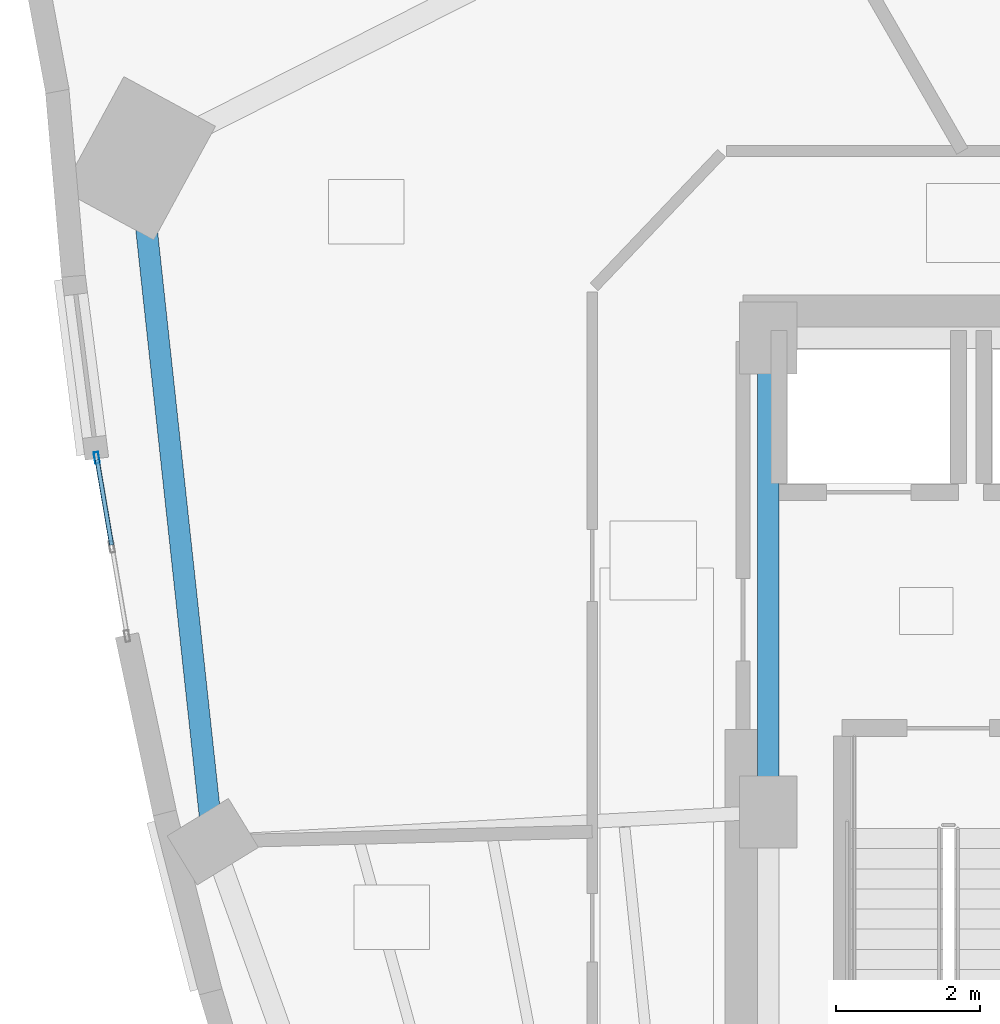
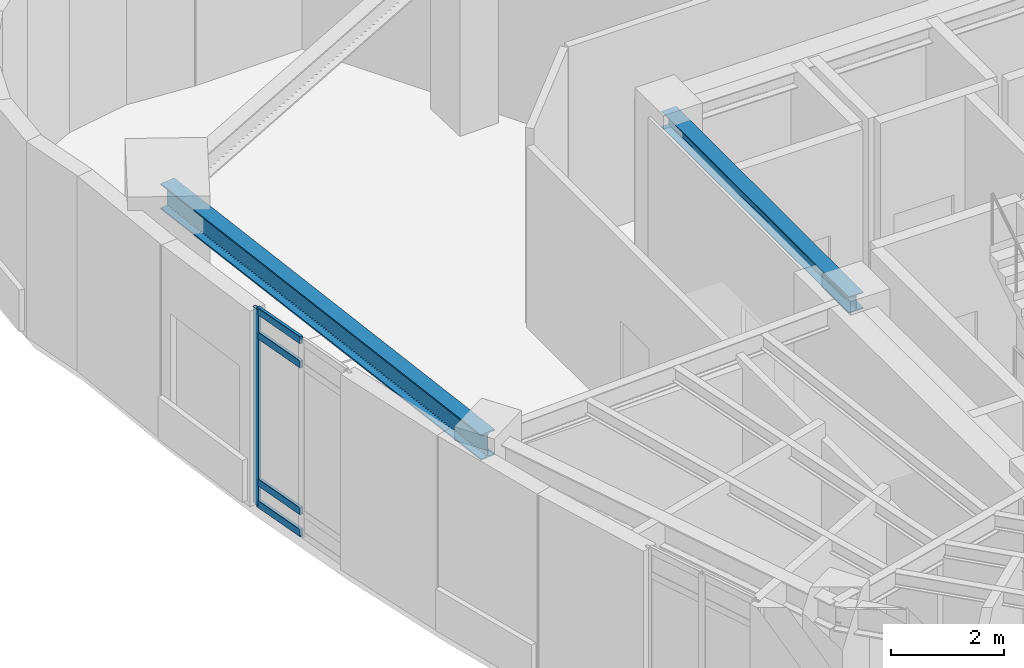
# One storey, part 6 of 18: 5 members, 2 beams, 1 element without a shape of its own.
"""IFC4 building model written with IfcOpenShell, lengths in metres."""

from ifc_helpers import new_model, si_unit, direction, frame, origin, origin_2d, place, context, subcontext, project, spatial, hollow_rectangle, i_section, extrude, material, layer, layer_set, material_profile, profile_set, type_object, element, aggregate, save


model = new_model("IFC4")

# Units and contexts
model_context = context("Model", 3, precision=1e-05, world=origin(), true_north=direction((0.0, 1.0)))
body_context = subcontext(model_context, "Body", "Model", "MODEL_VIEW")
ifc_project = project(units=[si_unit("LENGTHUNIT", "METRE"), si_unit("AREAUNIT", "SQUARE_METRE"), si_unit("VOLUMEUNIT", "CUBIC_METRE"), si_unit("PLANEANGLEUNIT", "RADIAN"), si_unit("MASSUNIT", "GRAM", prefix="KILO")], contexts=[model_context])

# Site, building, storey
site_placement = place(None, origin())
site = spatial("IfcSite", under=ifc_project, at=site_placement, CompositionType="ELEMENT")
building_placement = place(site_placement, origin())
building = spatial("IfcBuilding", under=site, at=building_placement, Name="Ndelora Gate Hotel", CompositionType="ELEMENT")
storey_placement = place(building_placement, frame((0.0, 0.0, 173.75)))
storey = spatial("IfcBuildingStorey", under=building, at=storey_placement, Name="L43", CompositionType="ELEMENT", Elevation=173.75)

# Beams
ifc_material_1 = material(Name="Steel S355", Category="steel")
ifc_material_profile_1 = material_profile(ifc_material_1, i_section(OverallWidth=0.300048828125, OverallDepth=0.35009765625, WebThickness=0.010009765625, FlangeThickness=0.017578125, FilletRadius=0.027099609375, at=origin_2d()), Name="HEA 360")
ifc_profile_set_1 = profile_set([ifc_material_profile_1], Name="Steel S355")
beam_type_1 = type_object("IfcBeamType", Name="BM-CORE-350", PredefinedType="BEAM", material=ifc_profile_set_1)
beam_1_placement = place(storey_placement, frame((-8.0, 0.0, 4.034912109375), z_axis=(0.0, 1.0, 0.0), x_axis=(-1.0, 0.0, 0.0)))
element("IfcBeam", 1, at=beam_1_placement, inside=storey, type_object=beam_type_1, Name="L43 Core Tie Girder CC8-CC7", PredefinedType="BEAM", context=body_context, shape_type="SweptSolid", body=[
    extrude(i_section(OverallWidth=0.300048828125, OverallDepth=0.35009765625, WebThickness=0.010009765625, FlangeThickness=0.017578125, FilletRadius=0.027099609375, at=origin_2d()), origin(), (0.0, 0.0, 1.0), 6.60009765625),
])
ifc_material_profile_2 = material_profile(ifc_material_1, i_section(OverallWidth=0.300048828125, OverallDepth=0.550048828125, WebThickness=0.014892578125, FlangeThickness=0.029052734375, FilletRadius=0.027099609375, at=origin_2d()), Name="HEB 550")
ifc_profile_set_2 = profile_set([ifc_material_profile_2], Name="Steel S355")
beam_type_2 = type_object("IfcBeamType", Name="BM-RING-550", PredefinedType="SPANDREL", material=ifc_profile_set_2)
beam_2_placement = place(storey_placement, frame((-16.759521484375, 9.099609375, 3.93505859375), z_axis=(0.107613416645, -0.994192814578, 0.0), x_axis=(0.994192814578, 0.107613416645, 0.0)))
element("IfcBeam", 2, at=beam_2_placement, inside=storey, type_object=beam_type_2, Name="L43 Perimeter Spandrel Girder 1", PredefinedType="SPANDREL", context=body_context, shape_type="SweptSolid", body=[
    extrude(i_section(OverallWidth=0.300048828125, OverallDepth=0.550048828125, WebThickness=0.014892578125, FlangeThickness=0.029052734375, FilletRadius=0.027099609375, at=origin_2d()), origin(), (0.0, 0.0, 1.0), 9.567138671875),
])

# Curtain wall, members
ifc_material_2 = material(Name="Bronze Anodised Unitised Aluminium and Low-E Glass", Category="aluminium")
ifc_layer = layer(ifc_material_2, 0.2099609375)
ifc_layer_set = layer_set([ifc_layer], Name="Bronze Anodised Unitised Aluminium and Low-E Glass")
curtain_wall_type = type_object("IfcCurtainWallType", Name="CW-SYS-5", PredefinedType="NOTDEFINED", material=ifc_layer_set)
curtain_wall_placement = place(storey_placement, origin())
curtain_wall = element("IfcCurtainWall", 3, at=curtain_wall_placement, inside=storey, type_object=curtain_wall_type, Name="L43 Upper Sky-Lobby & Altitude Fitness Curtain Wall 1", PredefinedType="NOTDEFINED")
ifc_material_3 = material(Name="Bronze Anodised Aluminium 6063-T6", Category="aluminium")
ifc_material_profile_3 = material_profile(ifc_material_3, hollow_rectangle(XDim=0.06494140625, YDim=0.159912109375, WallThickness=0.00390625, InnerFilletRadius=0.00390625, OuterFilletRadius=0.008056640625, at=origin_2d()), Name="ALU 160x65x4")
ifc_profile_set_3 = profile_set([ifc_material_profile_3], Name="Bronze Anodised Aluminium 6063-T6")
member_type_1 = type_object("IfcMemberType", Name="MB-CW-MUL150", PredefinedType="MULLION", material=ifc_profile_set_3)
member_1_placement = place(storey_placement, frame((-17.34423828125, 4.931640625, -0.00390625), z_axis=(0.0, 0.0, 1.0), x_axis=(0.985857126203, 0.167587967095, 0.0)))
member_1 = element("IfcMember", 4, at=member_1_placement, type_object=member_type_1, Name="CW5 mullion 1", PredefinedType="MULLION", context=body_context, shape_type="SweptSolid", body=[
    extrude(hollow_rectangle(XDim=0.06494140625, YDim=0.159912109375, WallThickness=0.00390625, InnerFilletRadius=0.00390625, OuterFilletRadius=0.008056640625, at=origin_2d()), origin(), (0.0, 0.0, 1.0), 4.218017578125),
])
ifc_material_profile_4 = material_profile(ifc_material_3, hollow_rectangle(XDim=0.06494140625, YDim=0.159912109375, WallThickness=0.00390625, InnerFilletRadius=0.00390625, OuterFilletRadius=0.008056640625, at=origin_2d()), Name="ALU 160x65x4")
ifc_profile_set_4 = profile_set([ifc_material_profile_4], Name="Bronze Anodised Aluminium 6063-T6")
member_type_2 = type_object("IfcMemberType", Name="MB-CW-TRN150", PredefinedType="USERDEFINED", material=ifc_profile_set_4)
member_2_placement = place(storey_placement, frame((-17.33984375, 4.905517578125, 0.032470703125), z_axis=(0.167451832741, -0.985880258303, 0.0), x_axis=(0.985880258303, 0.167451832741, 0.0)))
member_2 = element("IfcMember", 5, at=member_2_placement, type_object=member_type_2, Name="CW5 transom 1.1", ObjectType="TRANSOM", PredefinedType="USERDEFINED", context=body_context, shape_type="SweptSolid", body=[
    extrude(hollow_rectangle(XDim=0.06494140625, YDim=0.159912109375, WallThickness=0.00390625, InnerFilletRadius=0.00390625, OuterFilletRadius=0.008056640625, at=origin_2d()), origin(), (0.0, 0.0, 1.0), 1.205810546875),
])
member_3_placement = place(storey_placement, frame((-17.33984375, 4.905517578125, 0.5), z_axis=(0.167451832741, -0.985880258303, 0.0), x_axis=(0.985880258303, 0.167451832741, 0.0)))
member_3 = element("IfcMember", 6, at=member_3_placement, type_object=member_type_2, Name="CW5 transom 1.2", ObjectType="TRANSOM", PredefinedType="USERDEFINED", context=body_context, shape_type="SweptSolid", body=[
    extrude(hollow_rectangle(XDim=0.06494140625, YDim=0.159912109375, WallThickness=0.00390625, InnerFilletRadius=0.00390625, OuterFilletRadius=0.008056640625, at=origin_2d()), origin(), (0.0, 0.0, 1.0), 1.205810546875),
])
member_4_placement = place(storey_placement, frame((-17.33984375, 4.905517578125, 3.659912109375), z_axis=(0.167451832741, -0.985880258303, 0.0), x_axis=(0.985880258303, 0.167451832741, 0.0)))
member_4 = element("IfcMember", 7, at=member_4_placement, type_object=member_type_2, Name="CW5 transom 1.3", ObjectType="TRANSOM", PredefinedType="USERDEFINED", context=body_context, shape_type="SweptSolid", body=[
    extrude(hollow_rectangle(XDim=0.06494140625, YDim=0.159912109375, WallThickness=0.00390625, InnerFilletRadius=0.00390625, OuterFilletRadius=0.008056640625, at=origin_2d()), origin(), (0.0, 0.0, 1.0), 1.205810546875),
])
member_5_placement = place(storey_placement, frame((-17.33984375, 4.905517578125, 4.177490234375), z_axis=(0.167451832741, -0.985880258303, 0.0), x_axis=(0.985880258303, 0.167451832741, 0.0)))
member_5 = element("IfcMember", 8, at=member_5_placement, type_object=member_type_2, Name="CW5 transom 1.4", ObjectType="TRANSOM", PredefinedType="USERDEFINED", context=body_context, shape_type="SweptSolid", body=[
    extrude(hollow_rectangle(XDim=0.06494140625, YDim=0.159912109375, WallThickness=0.00390625, InnerFilletRadius=0.00390625, OuterFilletRadius=0.008056640625, at=origin_2d()), origin(), (0.0, 0.0, 1.0), 1.205810546875),
])
aggregate(curtain_wall, [member_1, member_2, member_3, member_4, member_5])

save(model, "model.ifc")
